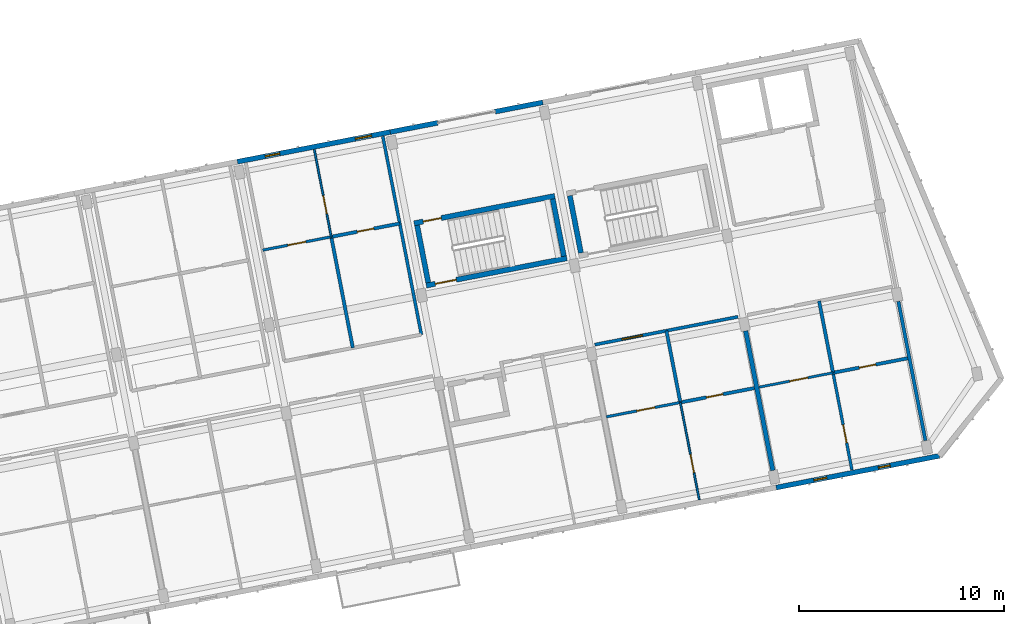
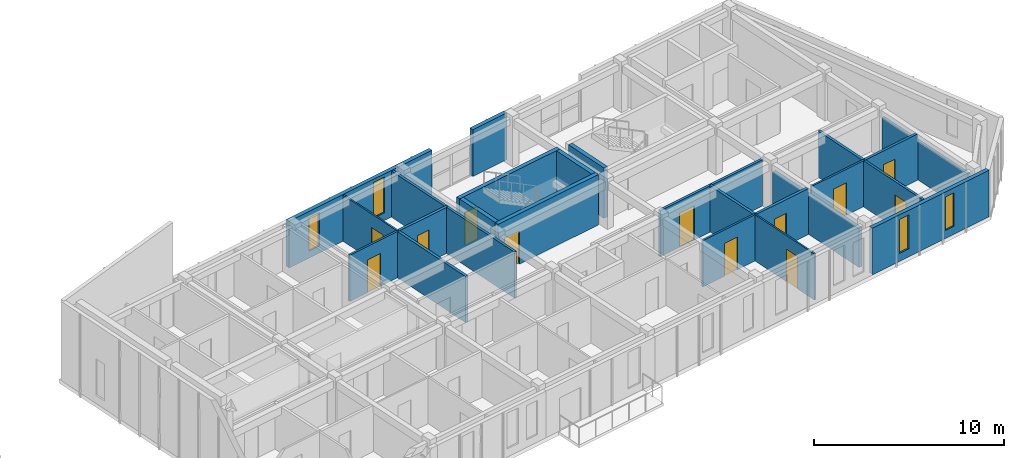
# One storey, part 34 of 65: 25 walls, 12 doors, 4 windows, 16 openings.
"""IFC4 building model written with IfcOpenShell, lengths in metres."""

from ifc_helpers import new_model, si_unit, direction, frame, frame_2d, origin, place, context, subcontext, project, spatial, rectangle, extrude, material, layer, layer_set, type_object, element, fill, save


model = new_model("IFC4")

# Units and contexts
model_context = context("Model", 3, precision=1e-05, world=origin(), true_north=direction((0.0, 1.0)))
body_context = subcontext(model_context, "Body", "Model", "MODEL_VIEW")
ifc_project = project(units=[si_unit("LENGTHUNIT", "METRE"), si_unit("AREAUNIT", "SQUARE_METRE"), si_unit("VOLUMEUNIT", "CUBIC_METRE"), si_unit("PLANEANGLEUNIT", "RADIAN"), si_unit("MASSUNIT", "GRAM", prefix="KILO")], contexts=[model_context])

# Site, building, storey
site_placement = place(None, origin())
site = spatial("IfcSite", under=ifc_project, at=site_placement, CompositionType="ELEMENT")
building_placement = place(site_placement, origin())
building = spatial("IfcBuilding", under=site, at=building_placement, Name="Kestramere Prow Commons", CompositionType="ELEMENT")
storey_placement = place(building_placement, frame((0.0, 0.0, 21.39990234375)))
storey = spatial("IfcBuildingStorey", under=building, at=storey_placement, Name="L06", CompositionType="ELEMENT", Elevation=21.39990234375)

# Wall, openings, windows
ifc_material_1 = material(Name="Fluoropolymer Standing-Seam Zinc-Aluminium Cladding", Category="aluminium")
ifc_layer_1 = layer(ifc_material_1, 0.239990234375)
ifc_layer_set_1 = layer_set([ifc_layer_1], Name="Fluoropolymer Standing-Seam Zinc-Aluminium Cladding")
wall_type_1 = type_object("IfcWallType", Name="EW-SEAM-240", PredefinedType="SOLIDWALL", material=ifc_layer_set_1)
wall_1_placement = place(storey_placement, frame((163.77783203125, 42.28564453125, 0.0), z_axis=(0.0, 0.0, 1.0), x_axis=(-0.981628367112, -0.190802905848, 0.0)))
wall_1 = element("IfcWall", 1, at=wall_1_placement, inside=storey, type_object=wall_type_1, Name="Block D L06 South Standing-Seam Wall 6", PredefinedType="SOLIDWALL", context=body_context, shape_type="SweptSolid", body=[
    extrude(rectangle(XDim=8.125, YDim=0.239990234375, at=frame_2d((4.0625, 0.0))), origin(), (0.0, 0.0, 1.0), 3.0),
])
opening_1_placement = place(wall_1_placement, frame((2.4541015625, 0.0, 0.52001953125)))
opening_1 = element("IfcOpeningElement", 2, at=opening_1_placement, cuts=wall_1, Name="Opening WN-01", PredefinedType="OPENING", context=body_context, shape_type="SweptSolid", body=[
    extrude(rectangle(XDim=0.580078125, YDim=2.159912109375, at=frame_2d((0.2900390625, 1.080078125))), frame((0.0, 0.135009765625, 0.0), z_axis=(0.0, -1.0, 0.0), x_axis=(1.0, 0.0, 0.0)), (0.0, 0.0, 1.0), 0.27001953125),
])
opening_2_placement = place(wall_1_placement, frame((5.60498046875, 0.0, 0.52001953125)))
opening_2 = element("IfcOpeningElement", 3, at=opening_2_placement, cuts=wall_1, Name="Opening WN-04", PredefinedType="OPENING", context=body_context, shape_type="SweptSolid", body=[
    extrude(rectangle(XDim=0.639892578125, YDim=2.179931640625, at=frame_2d((0.31982421875, 1.08984375))), frame((0.0, 0.135009765625, 0.0), z_axis=(0.0, -1.0, 0.0), x_axis=(1.0, 0.0, 0.0)), (0.0, 0.0, 1.0), 0.27001953125),
])
ifc_material_2 = material(Name="Low-E Laminated Double Glazing", Category="glass")
window_type_1 = type_object("IfcWindowType", Name="WN-NAR-580A", PartitioningType="SINGLE_PANEL", PredefinedType="WINDOW", material=ifc_material_2)
window_1_placement = place(opening_1_placement, origin())
window_1 = element("IfcWindow", 4, at=window_1_placement, inside=storey, type_object=window_type_1, Name="WN-D-L06-S-5-00", OverallHeight=2.159912109375, OverallWidth=0.580078125, PartitioningType="SINGLE_PANEL", PredefinedType="WINDOW", context=body_context, shape_type="SweptSolid", body=[
    extrude(rectangle(XDim=0.580078125, YDim=2.159912109375, at=frame_2d((0.2900390625, 1.080078125))), frame((0.0, 0.030029296875, 0.0), z_axis=(0.0, -1.0, 0.0), x_axis=(1.0, 0.0, 0.0)), (0.0, 0.0, 1.0), 0.06005859375),
])
fill(opening_1, window_1)
window_type_2 = type_object("IfcWindowType", Name="WN-NAR-640A", PartitioningType="SINGLE_PANEL", PredefinedType="WINDOW", material=ifc_material_2)
window_2_placement = place(opening_2_placement, origin())
window_2 = element("IfcWindow", 5, at=window_2_placement, inside=storey, type_object=window_type_2, Name="WN-D-L06-S-5-10", OverallHeight=2.179931640625, OverallWidth=0.639892578125, PartitioningType="SINGLE_PANEL", PredefinedType="WINDOW", context=body_context, shape_type="SweptSolid", body=[
    extrude(rectangle(XDim=0.639892578125, YDim=2.179931640625, at=frame_2d((0.31982421875, 1.08984375))), frame((0.0, 0.030029296875, 0.0), z_axis=(0.0, -1.0, 0.0), x_axis=(1.0, 0.0, 0.0)), (0.0, 0.0, 1.0), 0.06005859375),
])
fill(opening_2, window_2)

wall_2_placement = place(storey_placement, frame((129.480712890625, 56.655517578125, 0.0), z_axis=(0.0, 0.0, 1.0), x_axis=(0.981626422232, 0.190812911449, 0.0)))
wall_2 = element("IfcWall", 6, at=wall_2_placement, inside=storey, type_object=wall_type_1, Name="Block D L06 North Standing-Seam Wall 3", PredefinedType="SOLIDWALL", context=body_context, shape_type="SweptSolid", body=[
    extrude(rectangle(XDim=7.60009765625, YDim=0.239990234375, at=frame_2d((3.800048828125, 0.0))), origin(), (0.0, 0.0, 1.0), 3.0),
])
opening_3_placement = place(wall_2_placement, frame((1.384033203125, 0.0, 0.43994140625)))
opening_3 = element("IfcOpeningElement", 7, at=opening_3_placement, cuts=wall_2, Name="Opening WN-08", PredefinedType="OPENING", context=body_context, shape_type="SweptSolid", body=[
    extrude(rectangle(XDim=0.719970703125, YDim=2.159912109375, at=frame_2d((0.35986328125, 1.080078125))), frame((0.0, 0.135009765625, 0.0), z_axis=(0.0, -1.0, 0.0), x_axis=(1.0, 0.0, 0.0)), (0.0, 0.0, 1.0), 0.27001953125),
])
opening_4_placement = place(wall_2_placement, frame((5.87255859375, 0.0, 0.5)))
opening_4 = element("IfcOpeningElement", 8, at=opening_4_placement, cuts=wall_2, Name="Opening WN-12", PredefinedType="OPENING", context=body_context, shape_type="SweptSolid", body=[
    extrude(rectangle(XDim=0.800048828125, YDim=2.300048828125, at=frame_2d((0.39990234375, 1.14990234375))), frame((0.0, 0.135009765625, 0.0), z_axis=(0.0, -1.0, 0.0), x_axis=(1.0, 0.0, 0.0)), (0.0, 0.0, 1.0), 0.27001953125),
])
window_type_3 = type_object("IfcWindowType", Name="WN-NAR-720A", PartitioningType="SINGLE_PANEL", PredefinedType="WINDOW", material=ifc_material_2)
window_3_placement = place(opening_3_placement, origin())
window_3 = element("IfcWindow", 9, at=window_3_placement, inside=storey, type_object=window_type_3, Name="WN-D-L06-N-2-0", OverallHeight=2.159912109375, OverallWidth=0.719970703125, PartitioningType="SINGLE_PANEL", PredefinedType="WINDOW", context=body_context, shape_type="SweptSolid", body=[
    extrude(rectangle(XDim=0.719970703125, YDim=2.159912109375, at=frame_2d((0.35986328125, 1.080078125))), frame((0.0, 0.030029296875, 0.0), z_axis=(0.0, -1.0, 0.0), x_axis=(1.0, 0.0, 0.0)), (0.0, 0.0, 1.0), 0.06005859375),
])
fill(opening_3, window_3)
window_type_4 = type_object("IfcWindowType", Name="WN-NAR-800A", PartitioningType="SINGLE_PANEL", PredefinedType="WINDOW", material=ifc_material_2)
window_4_placement = place(opening_4_placement, origin())
window_4 = element("IfcWindow", 10, at=window_4_placement, inside=storey, type_object=window_type_4, Name="WN-D-L06-N-2-1", OverallHeight=2.300048828125, OverallWidth=0.800048828125, PartitioningType="SINGLE_PANEL", PredefinedType="WINDOW", context=body_context, shape_type="SweptSolid", body=[
    extrude(rectangle(XDim=0.800048828125, YDim=2.300048828125, at=frame_2d((0.39990234375, 1.14990234375))), frame((0.0, 0.030029296875, 0.0), z_axis=(0.0, -1.0, 0.0), x_axis=(1.0, 0.0, 0.0)), (0.0, 0.0, 1.0), 0.06005859375),
])
fill(opening_4, window_4)

# Walls
for number, where, z_axis, x_axis, name in (
    (11, (136.941162109375, 58.105712890625, 0.0), (0.0, 0.0, 1.0), (0.981629832251, 0.190795367961, 0.0), "Block D L06 North Standing-Seam Pier 4L"),
    (12, (142.070068359375, 59.102783203125, 0.0), (0.0, 0.0, 1.0), (0.981629832251, 0.190795367961, 0.0), "Block D L06 North Standing-Seam Pier 4R"),
):
    element("IfcWall", number, at=place(storey_placement, frame(where, z_axis=z_axis, x_axis=x_axis)), inside=storey, type_object=wall_type_1, Name=name, PredefinedType="SOLIDWALL", context=body_context, shape_type="SweptSolid", body=[
        extrude(rectangle(XDim=2.375, YDim=0.239990234375, at=frame_2d((1.1875, 0.0))), origin(), (0.0, 0.0, 1.0), 3.0),
    ])

# Wall, opening, door
ifc_material_3 = material(Name="Concrete C40/50", Category="concrete")
ifc_layer_2 = layer(ifc_material_3, 0.25)
ifc_layer_set_2 = layer_set([ifc_layer_2], Name="Concrete C40/50")
wall_type_2 = type_object("IfcWallType", Name="W-CORE-250", PredefinedType="SHEAR", material=ifc_layer_set_2)
wall_3_placement = place(storey_placement, frame((138.11328125, 53.6474609375, 0.0), z_axis=(0.0, 0.0, 1.0), x_axis=(0.981626097708, 0.19081458094, 0.0)))
wall_3 = element("IfcWall", 13, at=wall_3_placement, inside=storey, type_object=wall_type_2, Name="ST-D1 L06 North Shaft Wall", PredefinedType="SHEAR", context=body_context, shape_type="SweptSolid", body=[
    extrude(rectangle(XDim=7.0, YDim=0.25, at=frame_2d((3.5, 0.0))), origin(), (0.0, 0.0, 1.0), 3.25),
])
opening_5_placement = place(wall_3_placement, frame((0.449951171875, 0.0, 0.0)))
opening_5 = element("IfcOpeningElement", 14, at=opening_5_placement, cuts=wall_3, Name="Opening ID-08", PredefinedType="OPENING", context=body_context, shape_type="SweptSolid", body=[
    extrude(rectangle(XDim=0.89990234375, YDim=2.10009765625, at=frame_2d((0.449951171875, 1.050048828125))), frame((0.0, 0.139892578125, 0.0), z_axis=(0.0, -1.0, 0.0), x_axis=(1.0, 0.0, 0.0)), (0.0, 0.0, 1.0), 0.280029296875),
])
ifc_material_4 = material(Name="Engineered Timber Flush Door", Category="wood")
door_type_1 = type_object("IfcDoorType", Name="D-RM-01", OperationType="NOTDEFINED", PredefinedType="DOOR", material=ifc_material_4)
door_1_placement = place(opening_5_placement, origin())
door_1 = element("IfcDoor", 15, at=door_1_placement, inside=storey, type_object=door_type_1, Name="ST-D1 L06 North Room Door", OperationType="SINGLE_SWING_RIGHT", OverallHeight=2.10009765625, OverallWidth=0.89990234375, PredefinedType="DOOR", context=body_context, shape_type="SweptSolid", body=[
    extrude(rectangle(XDim=0.89990234375, YDim=2.10009765625, at=frame_2d((0.449951171875, 1.050048828125))), frame((0.0, 0.02490234375, 0.0), z_axis=(0.0, -1.0, 0.0), x_axis=(1.0, 0.0, 0.0)), (0.0, 0.0, 1.0), 0.050048828125),
])
fill(opening_5, door_1)

wall_4_placement = place(storey_placement, frame((138.704833984375, 50.6044921875, 0.0), z_axis=(0.0, 0.0, 1.0), x_axis=(0.981626097708, 0.19081458094, 0.0)))
wall_4 = element("IfcWall", 16, at=wall_4_placement, inside=storey, type_object=wall_type_2, Name="ST-D1 L06 Corridor Shaft Wall", PredefinedType="SHEAR", context=body_context, shape_type="SweptSolid", body=[
    extrude(rectangle(XDim=7.0, YDim=0.25, at=frame_2d((3.5, 0.0))), origin(), (0.0, 0.0, 1.0), 3.25),
])
opening_6_placement = place(wall_4_placement, frame((0.449951171875, 0.0, 0.0)))
opening_6 = element("IfcOpeningElement", 17, at=opening_6_placement, cuts=wall_4, Name="Opening ID-01", PredefinedType="OPENING", context=body_context, shape_type="SweptSolid", body=[
    extrude(rectangle(XDim=1.050048828125, YDim=2.14990234375, at=frame_2d((0.52490234375, 1.074951171875))), frame((0.0, 0.139892578125, 0.0), z_axis=(0.0, -1.0, 0.0), x_axis=(1.0, 0.0, 0.0)), (0.0, 0.0, 1.0), 0.280029296875),
])
ifc_material_5 = material(Name="Fire-Rated Timber and Steel Frame", Category="steel")
door_type_2 = type_object("IfcDoorType", Name="FD-ST-01", OperationType="NOTDEFINED", PredefinedType="DOOR", material=ifc_material_5)
door_2_placement = place(opening_6_placement, origin())
door_2 = element("IfcDoor", 18, at=door_2_placement, inside=storey, type_object=door_type_2, Name="ST-D1 L06 Protected Stair Door", OperationType="SINGLE_SWING_LEFT", OverallHeight=2.14990234375, OverallWidth=1.050048828125, PredefinedType="DOOR", context=body_context, shape_type="SweptSolid", body=[
    extrude(rectangle(XDim=1.050048828125, YDim=2.14990234375, at=frame_2d((0.52490234375, 1.074951171875))), frame((0.0, 0.02490234375, 0.0), z_axis=(0.0, -1.0, 0.0), x_axis=(1.0, 0.0, 0.0)), (0.0, 0.0, 1.0), 0.050048828125),
])
fill(opening_6, door_2)

# Walls
wall_5_placement = place(storey_placement, frame((138.8037109375, 50.7509765625, 0.0), z_axis=(0.0, 0.0, 1.0), x_axis=(-0.190858194834, 0.981617618762, 0.0)))
element("IfcWall", 19, at=wall_5_placement, inside=storey, type_object=wall_type_2, Name="ST-D1 L06 Near Shaft Wall", PredefinedType="SHEAR", context=body_context, shape_type="SweptSolid", body=[
    extrude(rectangle(XDim=2.85009765625, YDim=0.25, at=frame_2d((1.425048828125, 0.0))), origin(), (0.0, 0.0, 1.0), 3.25),
])
wall_6_placement = place(storey_placement, frame((145.4296875, 52.038818359375, 0.0), z_axis=(0.0, 0.0, 1.0), x_axis=(-0.190842147128, 0.981620738819, 0.0)))
element("IfcWall", 20, at=wall_6_placement, inside=storey, type_object=wall_type_2, Name="ST-D1 L06 Far Shaft Wall", PredefinedType="SHEAR", context=body_context, shape_type="SweptSolid", body=[
    extrude(rectangle(XDim=2.850341796875, YDim=0.25, at=frame_2d((1.42529296875, 0.0))), origin(), (0.0, 0.0, 1.0), 3.25),
])
wall_7_placement = place(storey_placement, frame((146.263916015625, 52.201171875, 0.0), z_axis=(0.0, 0.0, 1.0), x_axis=(-0.190775649797, 0.981633664584, 0.0)))
element("IfcWall", 21, at=wall_7_placement, inside=storey, type_object=wall_type_2, Name="ST-D2 L06 Near Shaft Wall", PredefinedType="SHEAR", context=body_context, shape_type="SweptSolid", body=[
    extrude(rectangle(XDim=2.849853515625, YDim=0.25, at=frame_2d((1.4248046875, 0.0))), origin(), (0.0, 0.0, 1.0), 3.25),
])

# Wall, opening, door
ifc_material_6 = material(Name="Fire-Rated Calcium Silicate Wall")
ifc_layer_3 = layer(ifc_material_6, 0.155029296875)
ifc_layer_set_3 = layer_set([ifc_layer_3], Name="Fire-Rated Calcium Silicate Wall")
wall_type_3 = type_object("IfcWallType", Name="W-FIRE-150", PredefinedType="PARTITIONING", material=ifc_layer_set_3)
wall_8_placement = place(storey_placement, frame((146.94189453125, 47.718017578125, 0.0), z_axis=(0.0, 0.0, 1.0), x_axis=(0.981623942594, 0.190825667367, 0.0)))
wall_8 = element("IfcWall", 22, at=wall_8_placement, inside=storey, type_object=wall_type_3, Name="Interior Partition PW-D-L06-CS-4", PredefinedType="PARTITIONING", context=body_context, shape_type="SweptSolid", body=[
    extrude(rectangle(XDim=7.130126953125, YDim=0.155029296875, at=frame_2d((3.56494140625, 0.0))), origin(), (0.0, 0.0, 1.0), 2.97021484375),
])
opening_7_placement = place(wall_8_placement, frame((1.35498046875, 0.0, 0.0)))
opening_7 = element("IfcOpeningElement", 23, at=opening_7_placement, cuts=wall_8, Name="Opening ID-05", PredefinedType="OPENING", context=body_context, shape_type="SweptSolid", body=[
    extrude(rectangle(XDim=1.02001953125, YDim=2.199951171875, at=frame_2d((0.510009765625, 1.10009765625))), frame((0.0, 0.092529296875, 0.0), z_axis=(0.0, -1.0, 0.0), x_axis=(1.0, 0.0, 0.0)), (0.0, 0.0, 1.0), 0.18505859375),
])
ifc_material_7 = material(Name="Hardwood Fire-Rated Flat Entrance Door", Category="wood")
door_type_3 = type_object("IfcDoorType", Name="FD-ENT-02", OperationType="NOTDEFINED", PredefinedType="DOOR", material=ifc_material_7)
door_3_placement = place(opening_7_placement, origin())
door_3 = element("IfcDoor", 24, at=door_3_placement, inside=storey, type_object=door_type_3, Name="Interior Door DR-D-L06-ENT-S4", OperationType="SINGLE_SWING_LEFT", OverallHeight=2.199951171875, OverallWidth=1.02001953125, PredefinedType="DOOR", context=body_context, shape_type="SweptSolid", body=[
    extrude(rectangle(XDim=1.02001953125, YDim=2.199951171875, at=frame_2d((0.510009765625, 1.10009765625))), frame((0.0, 0.02490234375, 0.0), z_axis=(0.0, -1.0, 0.0), x_axis=(1.0, 0.0, 0.0)), (0.0, 0.0, 1.0), 0.050048828125),
])
fill(opening_7, door_3)

ifc_material_8 = material(Name="Lightweight Blockwork and Plaster", Category="masonry")
ifc_layer_4 = layer(ifc_material_8, 0.1201171875)
ifc_layer_set_4 = layer_set([ifc_layer_4], Name="Lightweight Blockwork and Plaster")
wall_type_4 = type_object("IfcWallType", Name="W-PART-120", PredefinedType="PARTITIONING", material=ifc_layer_set_4)
wall_9_placement = place(storey_placement, frame((154.965576171875, 45.640869140625, 0.0), z_axis=(0.0, 0.0, 1.0), x_axis=(0.981628834294, 0.190800502313, 0.0)))
wall_9 = element("IfcWall", 25, at=wall_9_placement, inside=storey, type_object=wall_type_4, Name="Interior Partition PW-D-L06-MIDS1-5", PredefinedType="PARTITIONING", context=body_context, shape_type="SweptSolid", body=[
    extrude(rectangle(XDim=3.68505859375, YDim=0.1201171875, at=frame_2d((1.842529296875, 0.0))), origin(), (0.0, 0.0, 1.0), 2.97021484375),
])
opening_8_placement = place(wall_9_placement, frame((1.52490234375, 0.0, 0.0)))
opening_8 = element("IfcOpeningElement", 26, at=opening_8_placement, cuts=wall_9, Name="Opening ID-08", PredefinedType="OPENING", context=body_context, shape_type="SweptSolid", body=[
    extrude(rectangle(XDim=0.89990234375, YDim=2.10009765625, at=frame_2d((0.449951171875, 1.050048828125))), frame((0.0, 0.074951171875, 0.0), z_axis=(0.0, -1.0, 0.0), x_axis=(1.0, 0.0, 0.0)), (0.0, 0.0, 1.0), 0.150146484375),
])
door_4_placement = place(opening_8_placement, origin())
door_4 = element("IfcDoor", 27, at=door_4_placement, inside=storey, type_object=door_type_1, Name="Interior Door DR-D-L06-KL-S5", OperationType="SINGLE_SWING_RIGHT", OverallHeight=2.10009765625, OverallWidth=0.89990234375, PredefinedType="DOOR", context=body_context, shape_type="SweptSolid", body=[
    extrude(rectangle(XDim=0.89990234375, YDim=2.10009765625, at=frame_2d((0.449951171875, 1.050048828125))), frame((0.0, 0.02490234375, 0.0), z_axis=(0.0, -1.0, 0.0), x_axis=(1.0, 0.0, 0.0)), (0.0, 0.0, 1.0), 0.050048828125),
])
fill(opening_8, door_4)

ifc_layer_5 = layer(ifc_material_8, 0.1298828125)
ifc_layer_set_5 = layer_set([ifc_layer_5], Name="Lightweight Blockwork and Plaster")
wall_type_5 = type_object("IfcWallType", Name="W-PART-130", PredefinedType="PARTITIONING", material=ifc_layer_set_5)
wall_10_placement = place(storey_placement, frame((147.50537109375, 44.190673828125, 0.0), z_axis=(0.0, 0.0, 1.0), x_axis=(0.981626422232, 0.190812911449, 0.0)))
wall_10 = element("IfcWall", 28, at=wall_10_placement, inside=storey, type_object=wall_type_5, Name="Interior Partition PW-D-L06-MIDS1-4", PredefinedType="PARTITIONING", context=body_context, shape_type="SweptSolid", body=[
    extrude(rectangle(XDim=3.684814453125, YDim=0.1298828125, at=frame_2d((1.84228515625, 0.0))), origin(), (0.0, 0.0, 1.0), 2.97021484375),
])
opening_9_placement = place(wall_10_placement, frame((1.52490234375, 0.0, 0.0)))
opening_9 = element("IfcOpeningElement", 29, at=opening_9_placement, cuts=wall_10, Name="Opening ID-10", PredefinedType="OPENING", context=body_context, shape_type="SweptSolid", body=[
    extrude(rectangle(XDim=0.8798828125, YDim=2.10009765625, at=frame_2d((0.43994140625, 1.050048828125))), frame((0.0, 0.079833984375, 0.0), z_axis=(0.0, -1.0, 0.0), x_axis=(1.0, 0.0, 0.0)), (0.0, 0.0, 1.0), 0.159912109375),
])
ifc_material_9 = material(Name="Engineered Timber Bedroom Door", Category="wood")
door_type_4 = type_object("IfcDoorType", Name="D-RM-03", OperationType="NOTDEFINED", PredefinedType="DOOR", material=ifc_material_9)
door_5_placement = place(opening_9_placement, origin())
door_5 = element("IfcDoor", 30, at=door_5_placement, inside=storey, type_object=door_type_4, Name="Interior Door DR-D-L06-KL-S4", OperationType="SINGLE_SWING_RIGHT", OverallHeight=2.10009765625, OverallWidth=0.8798828125, PredefinedType="DOOR", context=body_context, shape_type="SweptSolid", body=[
    extrude(rectangle(XDim=0.8798828125, YDim=2.10009765625, at=frame_2d((0.43994140625, 1.050048828125))), frame((0.0, 0.02490234375, 0.0), z_axis=(0.0, -1.0, 0.0), x_axis=(1.0, 0.0, 0.0)), (0.0, 0.0, 1.0), 0.050048828125),
])
fill(opening_9, door_5)

wall_11_placement = place(storey_placement, frame((130.71728515625, 52.337158203125, 0.0), z_axis=(0.0, 0.0, 1.0), x_axis=(0.981629173664, 0.190798756314, 0.0)))
wall_11 = element("IfcWall", 31, at=wall_11_placement, inside=storey, type_object=wall_type_5, Name="Interior Partition PW-D-L06-MIDN1-2", PredefinedType="PARTITIONING", context=body_context, shape_type="SweptSolid", body=[
    extrude(rectangle(XDim=3.41015625, YDim=0.1298828125, at=frame_2d((1.705078125, 0.0))), origin(), (0.0, 0.0, 1.0), 2.97021484375),
])
opening_10_placement = place(wall_11_placement, frame((1.2548828125, 0.0, 0.0)))
opening_10 = element("IfcOpeningElement", 32, at=opening_10_placement, cuts=wall_11, Name="Opening ID-10", PredefinedType="OPENING", context=body_context, shape_type="SweptSolid", body=[
    extrude(rectangle(XDim=0.8798828125, YDim=2.10009765625, at=frame_2d((0.43994140625, 1.050048828125))), frame((0.0, 0.079833984375, 0.0), z_axis=(0.0, -1.0, 0.0), x_axis=(1.0, 0.0, 0.0)), (0.0, 0.0, 1.0), 0.159912109375),
])
door_6_placement = place(opening_10_placement, origin())
door_6 = element("IfcDoor", 33, at=door_6_placement, inside=storey, type_object=door_type_4, Name="Interior Door DR-D-L06-KL-N2", OperationType="SINGLE_SWING_LEFT", OverallHeight=2.10009765625, OverallWidth=0.8798828125, PredefinedType="DOOR", context=body_context, shape_type="SweptSolid", body=[
    extrude(rectangle(XDim=0.8798828125, YDim=2.10009765625, at=frame_2d((0.43994140625, 1.050048828125))), frame((0.0, 0.02490234375, 0.0), z_axis=(0.0, -1.0, 0.0), x_axis=(1.0, 0.0, 0.0)), (0.0, 0.0, 1.0), 0.050048828125),
])
fill(opening_10, door_6)

ifc_material_10 = material(Name="Masonry Compartment Wall", Category="masonry")
ifc_layer_6 = layer(ifc_material_10, 0.139892578125)
ifc_layer_set_6 = layer_set([ifc_layer_6], Name="Masonry Compartment Wall")
wall_type_6 = type_object("IfcWallType", Name="W-PART-140", PredefinedType="PARTITIONING", material=ifc_layer_set_6)
wall_12_placement = place(storey_placement, frame((159.50634765625, 41.593017578125, 0.0), z_axis=(0.0, 0.0, 1.0), x_axis=(-0.190777847092, 0.981633237548, 0.0)))
wall_12 = element("IfcWall", 34, at=wall_12_placement, inside=storey, type_object=wall_type_6, Name="Interior Partition PW-D-L06-LB-S5", PredefinedType="PARTITIONING", context=body_context, shape_type="SweptSolid", body=[
    extrude(rectangle(XDim=4.83984375, YDim=0.139892578125, at=frame_2d((2.419921875, 0.0))), origin(), (0.0, 0.0, 1.0), 2.97021484375),
])
opening_11_placement = place(wall_12_placement, frame((1.35009765625, 0.0, 0.0)))
opening_11 = element("IfcOpeningElement", 35, at=opening_11_placement, cuts=wall_12, Name="Opening ID-08", PredefinedType="OPENING", context=body_context, shape_type="SweptSolid", body=[
    extrude(rectangle(XDim=0.89990234375, YDim=2.10009765625, at=frame_2d((0.449951171875, 1.050048828125))), frame((0.0, 0.0849609375, 0.0), z_axis=(0.0, -1.0, 0.0), x_axis=(1.0, 0.0, 0.0)), (0.0, 0.0, 1.0), 0.169921875),
])
door_7_placement = place(opening_11_placement, origin())
door_7 = element("IfcDoor", 36, at=door_7_placement, inside=storey, type_object=door_type_1, Name="Interior Door DR-D-L06-BED-S5", OperationType="SINGLE_SWING_RIGHT", OverallHeight=2.10009765625, OverallWidth=0.89990234375, PredefinedType="DOOR", context=body_context, shape_type="SweptSolid", body=[
    extrude(rectangle(XDim=0.89990234375, YDim=2.10009765625, at=frame_2d((0.449951171875, 1.050048828125))), frame((0.0, 0.02490234375, 0.0), z_axis=(0.0, -1.0, 0.0), x_axis=(1.0, 0.0, 0.0)), (0.0, 0.0, 1.0), 0.050048828125),
])
fill(opening_11, door_7)

# Wall
ifc_layer_7 = layer(ifc_material_10, 0.14990234375)
ifc_layer_set_7 = layer_set([ifc_layer_7], Name="Masonry Compartment Wall")
wall_type_7 = type_object("IfcWallType", Name="W-PART-150", PredefinedType="PARTITIONING", material=ifc_layer_set_7)
wall_13_placement = place(storey_placement, frame((138.46728515625, 48.210205078125, 0.0), z_axis=(0.0, 0.0, 1.0), x_axis=(-0.190814044018, 0.981626202078, 0.0)))
element("IfcWall", 37, at=wall_13_placement, inside=storey, type_object=wall_type_7, Name="Interior Partition PW-D-L06-NWR-2", PredefinedType="PARTITIONING", context=body_context, shape_type="SweptSolid", body=[
    extrude(rectangle(XDim=9.869873046875, YDim=0.14990234375, at=frame_2d((4.93505859375, 0.0))), origin(), (0.0, 0.0, 1.0), 2.97021484375),
])

# Wall, opening, door
ifc_material_11 = material(Name="Gypsum Acoustic Drywall")
ifc_layer_8 = layer(ifc_material_11, 0.094970703125)
ifc_layer_set_8 = layer_set([ifc_layer_8], Name="Gypsum Acoustic Drywall")
wall_type_8 = type_object("IfcWallType", Name="W-PART-95", PredefinedType="PARTITIONING", material=ifc_layer_set_8)
wall_14_placement = place(storey_placement, frame((152.046142578125, 40.142822265625, 0.0), z_axis=(0.0, 0.0, 1.0), x_axis=(-0.190826454074, 0.98162378966, 0.0)))
wall_14 = element("IfcWall", 38, at=wall_14_placement, inside=storey, type_object=wall_type_8, Name="Interior Partition PW-D-L06-LB-S4", PredefinedType="PARTITIONING", context=body_context, shape_type="SweptSolid", body=[
    extrude(rectangle(XDim=4.83984375, YDim=0.094970703125, at=frame_2d((2.419921875, 0.0))), origin(), (0.0, 0.0, 1.0), 2.97021484375),
])
opening_12_placement = place(wall_14_placement, frame((1.35009765625, 0.0, 0.0)))
opening_12 = element("IfcOpeningElement", 39, at=opening_12_placement, cuts=wall_14, Name="Opening ID-08", PredefinedType="OPENING", context=body_context, shape_type="SweptSolid", body=[
    extrude(rectangle(XDim=0.89990234375, YDim=2.10009765625, at=frame_2d((0.449951171875, 1.050048828125))), frame((0.0, 0.0625, 0.0), z_axis=(0.0, -1.0, 0.0), x_axis=(1.0, 0.0, 0.0)), (0.0, 0.0, 1.0), 0.125),
])
door_8_placement = place(opening_12_placement, origin())
door_8 = element("IfcDoor", 40, at=door_8_placement, inside=storey, type_object=door_type_1, Name="Interior Door DR-D-L06-BED-S4", OperationType="SINGLE_SWING_LEFT", OverallHeight=2.10009765625, OverallWidth=0.89990234375, PredefinedType="DOOR", context=body_context, shape_type="SweptSolid", body=[
    extrude(rectangle(XDim=0.89990234375, YDim=2.10009765625, at=frame_2d((0.449951171875, 1.050048828125))), frame((0.0, 0.02490234375, 0.0), z_axis=(0.0, -1.0, 0.0), x_axis=(1.0, 0.0, 0.0)), (0.0, 0.0, 1.0), 0.050048828125),
])
fill(opening_12, door_8)

wall_15_placement = place(storey_placement, frame((134.064697265625, 52.98779296875, 0.0), z_axis=(0.0, 0.0, 1.0), x_axis=(-0.190812443151, 0.981626513262, 0.0)))
wall_15 = element("IfcWall", 41, at=wall_15_placement, inside=storey, type_object=wall_type_8, Name="Interior Partition PW-D-L06-LB-N2", PredefinedType="PARTITIONING", context=body_context, shape_type="SweptSolid", body=[
    extrude(rectangle(XDim=4.340087890625, YDim=0.094970703125, at=frame_2d((2.169921875, 0.0))), origin(), (0.0, 0.0, 1.0), 2.97021484375),
])
opening_13_placement = place(wall_15_placement, frame((1.14990234375, 0.0, 0.0)))
opening_13 = element("IfcOpeningElement", 42, at=opening_13_placement, cuts=wall_15, Name="Opening ID-08", PredefinedType="OPENING", context=body_context, shape_type="SweptSolid", body=[
    extrude(rectangle(XDim=0.89990234375, YDim=2.10009765625, at=frame_2d((0.449951171875, 1.050048828125))), frame((0.0, 0.0625, 0.0), z_axis=(0.0, -1.0, 0.0), x_axis=(1.0, 0.0, 0.0)), (0.0, 0.0, 1.0), 0.125),
])
door_9_placement = place(opening_13_placement, origin())
door_9 = element("IfcDoor", 43, at=door_9_placement, inside=storey, type_object=door_type_1, Name="Interior Door DR-D-L06-BED-N2", OperationType="SINGLE_SWING_LEFT", OverallHeight=2.10009765625, OverallWidth=0.89990234375, PredefinedType="DOOR", context=body_context, shape_type="SweptSolid", body=[
    extrude(rectangle(XDim=0.89990234375, YDim=2.10009765625, at=frame_2d((0.449951171875, 1.050048828125))), frame((0.0, 0.02490234375, 0.0), z_axis=(0.0, -1.0, 0.0), x_axis=(1.0, 0.0, 0.0)), (0.0, 0.0, 1.0), 0.050048828125),
])
fill(opening_13, door_9)

# Wall
ifc_material_12 = material(Name="Waterproof Sanitary Masonry Wall", Category="masonry")
ifc_layer_9 = layer(ifc_material_12, 0.1650390625)
ifc_layer_set_9 = layer_set([ifc_layer_9], Name="Waterproof Sanitary Masonry Wall")
wall_type_9 = type_object("IfcWallType", Name="W-PLUMB-150", PredefinedType="PLUMBINGWALL", material=ifc_layer_set_9)
wall_16_placement = place(storey_placement, frame((163.098388671875, 43.02978515625, 0.0), z_axis=(0.0, 0.0, 1.0), x_axis=(-0.190835713385, 0.981621989616, 0.0)))
element("IfcWall", 44, at=wall_16_placement, inside=storey, type_object=wall_type_9, Name="Interior Partition PW-D-L06-PRWE-S", PredefinedType="PLUMBINGWALL", context=body_context, shape_type="SweptSolid", body=[
    extrude(rectangle(XDim=6.93017578125, YDim=0.1650390625, at=frame_2d((3.465087890625, 0.0))), origin(), (0.0, 0.0, 1.0), 2.5),
])

# Wall, opening, door
wall_17_placement = place(storey_placement, frame((151.12255859375, 44.893798828125, 0.0), z_axis=(0.0, 0.0, 1.0), x_axis=(0.981626422232, 0.190812911449, 0.0)))
wall_17 = element("IfcWall", 45, at=wall_17_placement, inside=storey, type_object=wall_type_9, Name="Interior Partition PW-D-L06-MIDS2-4", PredefinedType="PLUMBINGWALL", context=body_context, shape_type="SweptSolid", body=[
    extrude(rectangle(XDim=3.684814453125, YDim=0.1650390625, at=frame_2d((1.84228515625, 0.0))), origin(), (0.0, 0.0, 1.0), 2.97021484375),
])
opening_14_placement = place(wall_17_placement, frame((1.300048828125, 0.0, 0.0)))
opening_14 = element("IfcOpeningElement", 46, at=opening_14_placement, cuts=wall_17, Name="Opening ID-11", PredefinedType="OPENING", context=body_context, shape_type="SweptSolid", body=[
    extrude(rectangle(XDim=0.820068359375, YDim=2.080078125, at=frame_2d((0.41015625, 1.0400390625))), frame((0.0, 0.097412109375, 0.0), z_axis=(0.0, -1.0, 0.0), x_axis=(1.0, 0.0, 0.0)), (0.0, 0.0, 1.0), 0.195068359375),
])
ifc_material_13 = material(Name="Moisture-Resistant Timber Bathroom Door", Category="wood")
door_type_5 = type_object("IfcDoorType", Name="D-BT-01", OperationType="NOTDEFINED", PredefinedType="DOOR", material=ifc_material_13)
door_10_placement = place(opening_14_placement, origin())
door_10 = element("IfcDoor", 47, at=door_10_placement, inside=storey, type_object=door_type_5, Name="Interior Door DR-D-L06-BTH-S4", OperationType="SINGLE_SWING_LEFT", OverallHeight=2.080078125, OverallWidth=0.820068359375, PredefinedType="DOOR", context=body_context, shape_type="SweptSolid", body=[
    extrude(rectangle(XDim=0.820068359375, YDim=2.080078125, at=frame_2d((0.41015625, 1.0400390625))), frame((0.0, 0.02490234375, 0.0), z_axis=(0.0, -1.0, 0.0), x_axis=(1.0, 0.0, 0.0)), (0.0, 0.0, 1.0), 0.050048828125),
])
fill(opening_14, door_10)

# Wall
wall_18_placement = place(storey_placement, frame((151.12255859375, 44.893798828125, 0.0), z_axis=(0.0, 0.0, 1.0), x_axis=(-0.190787294327, 0.981631401455, 0.0)))
element("IfcWall", 48, at=wall_18_placement, inside=storey, type_object=wall_type_9, Name="Interior Partition PW-D-L06-KB-S4", PredefinedType="PLUMBINGWALL", context=body_context, shape_type="SweptSolid", body=[
    extrude(rectangle(XDim=3.5703125, YDim=0.1650390625, at=frame_2d((1.78515625, 0.0))), origin(), (0.0, 0.0, 1.0), 2.97021484375),
])

# Wall, opening, door
wall_19_placement = place(storey_placement, frame((158.5830078125, 46.343994140625, 0.0), z_axis=(0.0, 0.0, 1.0), x_axis=(0.981621896267, 0.190836193549, 0.0)))
wall_19 = element("IfcWall", 49, at=wall_19_placement, inside=storey, type_object=wall_type_9, Name="Interior Partition PW-D-L06-MIDS2-5", PredefinedType="PLUMBINGWALL", context=body_context, shape_type="SweptSolid", body=[
    extrude(rectangle(XDim=3.7099609375, YDim=0.1650390625, at=frame_2d((1.85498046875, 0.0))), origin(), (0.0, 0.0, 1.0), 2.97021484375),
])
opening_15_placement = place(wall_19_placement, frame((1.300048828125, 0.0, 0.0)))
opening_15 = element("IfcOpeningElement", 50, at=opening_15_placement, cuts=wall_19, Name="Opening ID-11", PredefinedType="OPENING", context=body_context, shape_type="SweptSolid", body=[
    extrude(rectangle(XDim=0.820068359375, YDim=2.080078125, at=frame_2d((0.41015625, 1.0400390625))), frame((0.0, 0.097412109375, 0.0), z_axis=(0.0, -1.0, 0.0), x_axis=(1.0, 0.0, 0.0)), (0.0, 0.0, 1.0), 0.195068359375),
])
door_11_placement = place(opening_15_placement, origin())
door_11 = element("IfcDoor", 51, at=door_11_placement, inside=storey, type_object=door_type_5, Name="Interior Door DR-D-L06-BTH-S5", OperationType="SINGLE_SWING_LEFT", OverallHeight=2.080078125, OverallWidth=0.820068359375, PredefinedType="DOOR", context=body_context, shape_type="SweptSolid", body=[
    extrude(rectangle(XDim=0.820068359375, YDim=2.080078125, at=frame_2d((0.41015625, 1.0400390625))), frame((0.0, 0.02490234375, 0.0), z_axis=(0.0, -1.0, 0.0), x_axis=(1.0, 0.0, 0.0)), (0.0, 0.0, 1.0), 0.050048828125),
])
fill(opening_15, door_11)

# Wall
wall_20_placement = place(storey_placement, frame((158.5830078125, 46.343994140625, 0.0), z_axis=(0.0, 0.0, 1.0), x_axis=(-0.190865998276, 0.981616101489, 0.0)))
element("IfcWall", 52, at=wall_20_placement, inside=storey, type_object=wall_type_9, Name="Interior Partition PW-D-L06-KB-S5", PredefinedType="PLUMBINGWALL", context=body_context, shape_type="SweptSolid", body=[
    extrude(rectangle(XDim=3.570068359375, YDim=0.1650390625, at=frame_2d((1.78515625, 0.0))), origin(), (0.0, 0.0, 1.0), 2.97021484375),
])

# Wall, opening, door
wall_21_placement = place(storey_placement, frame((134.064697265625, 52.98779296875, 0.0), z_axis=(0.0, 0.0, 1.0), x_axis=(0.981629173664, 0.190798756314, 0.0)))
wall_21 = element("IfcWall", 53, at=wall_21_placement, inside=storey, type_object=wall_type_9, Name="Interior Partition PW-D-L06-MIDN2-2", PredefinedType="PLUMBINGWALL", context=body_context, shape_type="SweptSolid", body=[
    extrude(rectangle(XDim=3.41015625, YDim=0.1650390625, at=frame_2d((1.705078125, 0.0))), origin(), (0.0, 0.0, 1.0), 2.97021484375),
])
opening_16_placement = place(wall_21_placement, frame((1.294921875, 0.0, 0.0)))
opening_16 = element("IfcOpeningElement", 54, at=opening_16_placement, cuts=wall_21, Name="Opening ID-11", PredefinedType="OPENING", context=body_context, shape_type="SweptSolid", body=[
    extrude(rectangle(XDim=0.820068359375, YDim=2.080078125, at=frame_2d((0.41015625, 1.0400390625))), frame((0.0, 0.097412109375, 0.0), z_axis=(0.0, -1.0, 0.0), x_axis=(1.0, 0.0, 0.0)), (0.0, 0.0, 1.0), 0.195068359375),
])
door_12_placement = place(opening_16_placement, origin())
door_12 = element("IfcDoor", 55, at=door_12_placement, inside=storey, type_object=door_type_5, Name="Interior Door DR-D-L06-BTH-N2", OperationType="SINGLE_SWING_RIGHT", OverallHeight=2.080078125, OverallWidth=0.820068359375, PredefinedType="DOOR", context=body_context, shape_type="SweptSolid", body=[
    extrude(rectangle(XDim=0.820068359375, YDim=2.080078125, at=frame_2d((0.41015625, 1.0400390625))), frame((0.0, 0.02490234375, 0.0), z_axis=(0.0, -1.0, 0.0), x_axis=(1.0, 0.0, 0.0)), (0.0, 0.0, 1.0), 0.050048828125),
])
fill(opening_16, door_12)

# Walls
wall_22_placement = place(storey_placement, frame((135.119873046875, 47.559326171875, 0.0), z_axis=(0.0, 0.0, 1.0), x_axis=(-0.190807031124, 0.981627565258, 0.0)))
element("IfcWall", 56, at=wall_22_placement, inside=storey, type_object=wall_type_9, Name="Interior Partition PW-D-L06-KB-N2", PredefinedType="PLUMBINGWALL", context=body_context, shape_type="SweptSolid", body=[
    extrude(rectangle(XDim=5.530029296875, YDim=0.1650390625, at=frame_2d((2.76513671875, 0.0))), origin(), (0.0, 0.0, 1.0), 2.97021484375),
])
ifc_material_14 = material(Name="Precast concrete C40/50", Category="concrete")
ifc_layer_10 = layer(ifc_material_14, 0.219970703125)
ifc_layer_set_10 = layer_set([ifc_layer_10], Name="Precast concrete C40/50")
wall_type_10 = type_object("IfcWallType", Name="W-XWALL-220", PredefinedType="SHEAR", material=ifc_layer_set_10)
wall_23_placement = place(storey_placement, frame((155.639892578125, 41.56982421875, 0.0), z_axis=(0.0, 0.0, 1.0), x_axis=(-0.190817005532, 0.981625626397, 0.0)))
element("IfcWall", 57, at=wall_23_placement, inside=storey, type_object=wall_type_10, Name="Block D L06 Precast Cross-Wall 5", PredefinedType="SHEAR", context=body_context, shape_type="SweptSolid", body=[
    extrude(rectangle(XDim=6.949951171875, YDim=0.219970703125, at=frame_2d((3.47509765625, 0.0))), origin(), (0.0, 0.0, 1.0), 2.5),
])

save(model, "model.ifc")
